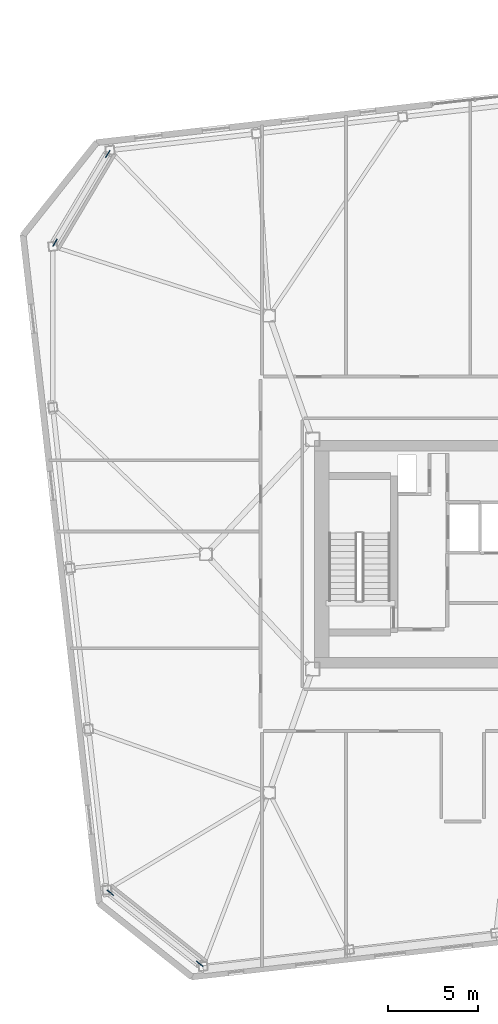
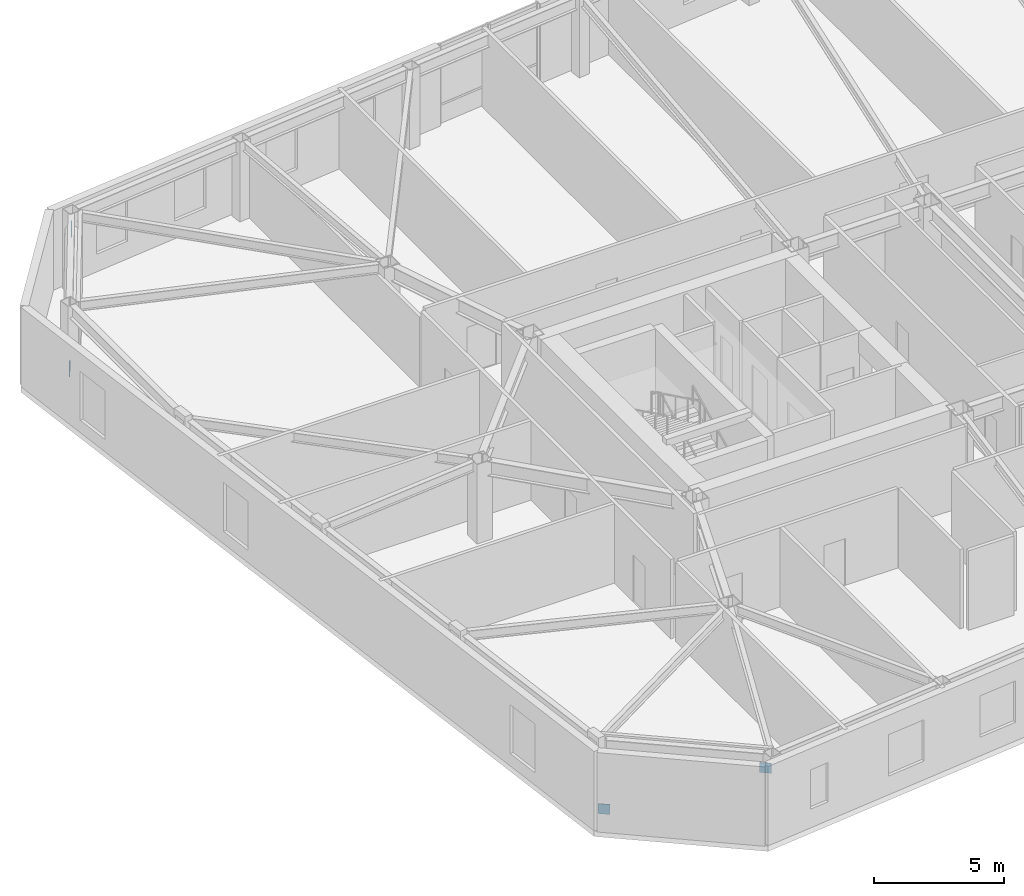
# One storey, part 17 of 19: 4 discrete accessories.
"""IFC4 building model written with IfcOpenShell, lengths in metres."""

import ifcopenshell
import ifcopenshell.guid

model = None  # the IFC model being written
_history = None  # IfcOwnerHistory: only IFC2X3 demands one
_inside = {}  # id of a spatial element -> (the spatial element, [elements in it])
_under = {}  # id of a project, library or spatial element -> (it, [spatial elements below it])
_declared = {}  # id of a project -> (the project, [libraries it declares])
_typed = {}  # id of a type object -> (the type object, [elements of that type])
_made_of = {}  # id of a material, layer set ... -> (it, [elements and type objects made of it])


def new_model(schema):
    """Start an empty IFC model of exactly this schema.

    Asked for "IFC4X3", IfcOpenShell would pick the latest addendum, in which some entities
    have other attributes; the version numbers below select the first issue.
    IFC2X3 requires an IfcOwnerHistory on every rooted entity: one is made here for all.
    """
    global model, _history
    if schema == "IFC4X3":
        model = ifcopenshell.file(schema_version=(4, 3, 0, 0))
    else:
        model = ifcopenshell.file(schema=schema)
    _inside.clear()
    _under.clear()
    _declared.clear()
    _typed.clear()
    _made_of.clear()
    _history = None
    if model.schema == "IFC2X3":
        org = make("IfcOrganization", Name="unknown")
        user = make(
            "IfcPersonAndOrganization",
            ThePerson=make("IfcPerson", FamilyName="unknown"),
            TheOrganization=org,
        )
        app = make(
            "IfcApplication",
            ApplicationDeveloper=org,
            Version="unknown",
            ApplicationFullName="unknown",
            ApplicationIdentifier="unknown",
        )
        _history = make(
            "IfcOwnerHistory",
            OwningUser=user,
            OwningApplication=app,
            ChangeAction="ADDED",
            CreationDate=0,
        )
    return model


def make(cls, **values):
    """One entity of the class cls with the attributes given. An attribute that is None is left unset."""
    return model.create_entity(
        cls, **{name: value for name, value in values.items() if value is not None}
    )


def rooted(cls, **values):
    """An entity with a GlobalId (a new one), such as an element, a storey or a relation."""
    return make(cls, GlobalId=ifcopenshell.guid.new(), OwnerHistory=_history, **values)


def si_unit(unit_type, name, prefix=None):
    """IfcSIUnit, for example si_unit("LENGTHUNIT", "METRE", prefix="MILLI")."""
    return make("IfcSIUnit", UnitType=unit_type, Prefix=prefix, Name=name)


def assignment(units):
    """IfcUnitAssignment: the units of a project."""
    return None if units is None else make("IfcUnitAssignment", Units=units)


def point(xyz):
    """IfcCartesianPoint."""
    return None if xyz is None else make("IfcCartesianPoint", Coordinates=xyz)


def direction(xyz):
    """IfcDirection."""
    return None if xyz is None else make("IfcDirection", DirectionRatios=xyz)


def frame(location, z_axis=None, x_axis=None):
    """IfcAxis2Placement3D, a coordinate frame: its origin and axes. An axis left out is left unset."""
    return make(
        "IfcAxis2Placement3D",
        Location=point(location),
        Axis=direction(z_axis),
        RefDirection=direction(x_axis),
    )


def frame_2d(location, x_axis=None):
    """IfcAxis2Placement2D, a coordinate frame in the plane: its origin and x axis."""
    return make(
        "IfcAxis2Placement2D", Location=point(location), RefDirection=direction(x_axis)
    )


def origin():
    """The frame at (0, 0, 0) with its axes left unset."""
    return frame((0.0, 0.0, 0.0))


def origin_2d():
    """The frame at (0, 0) in the plane with its x axis left unset."""
    return frame_2d((0.0, 0.0))


def place(relative_to, where):
    """IfcLocalPlacement: puts the frame where relative to a parent placement (None: the world)."""
    return make(
        "IfcLocalPlacement", PlacementRelTo=relative_to, RelativePlacement=where
    )


def context(
    kind, dimensions, precision=None, world=None, true_north=None, identifier=None
):
    """IfcGeometricRepresentationContext, for example the 3D "Model" context."""
    return make(
        "IfcGeometricRepresentationContext",
        ContextIdentifier=identifier,
        ContextType=kind,
        CoordinateSpaceDimension=dimensions,
        Precision=precision,
        WorldCoordinateSystem=world,
        TrueNorth=true_north,
    )


def subcontext(parent, identifier, kind, view, scale=None):
    """IfcGeometricRepresentationSubContext, for example "Body" below "Model"."""
    return make(
        "IfcGeometricRepresentationSubContext",
        ContextIdentifier=identifier,
        ContextType=kind,
        ParentContext=parent,
        TargetScale=scale,
        TargetView=view,
    )


def project(units=None, contexts=None):
    """IfcProject with its units and contexts."""
    return rooted(
        "IfcProject",
        Name="project",
        RepresentationContexts=contexts,
        UnitsInContext=assignment(units),
    )


def spatial(cls, under=None, at=None, **own):
    """A site, building, storey or space (cls), placed at a placement, below another one or the project."""
    s = rooted(cls, ObjectPlacement=at, **own)
    if under is not None:
        _under.setdefault(under.id(), (under, []))[1].append(s)
    return s


def profile(cls, at=None, kind="AREA", **sizes):
    """A parametric profile (cls). Its sizes go by their IFC names, for example OverallWidth=200.0."""
    return make(cls, ProfileType=kind, Position=at, **sizes)


def rectangle(**sizes):
    """IfcRectangleProfileDef."""
    return profile("IfcRectangleProfileDef", **sizes)


def extrude(swept, where, along, depth):
    """IfcExtrudedAreaSolid: the profile swept, set in the frame where, extruded along a direction by depth."""
    return make(
        "IfcExtrudedAreaSolid",
        SweptArea=swept,
        Position=where,
        ExtrudedDirection=direction(along),
        Depth=depth,
    )


def shape(context_of_items, identifier, shape_type, items):
    """IfcShapeRepresentation: the items that make up one representation, for example the "Body"."""
    return make(
        "IfcShapeRepresentation",
        ContextOfItems=context_of_items,
        RepresentationIdentifier=identifier,
        RepresentationType=shape_type,
        Items=items,
    )


def material(Name=None, Category=None):
    """IfcMaterial."""
    return make("IfcMaterial", Name=Name, Category=Category)


def made_of(thing, what):
    """Note that an element or type object is made of a material, layer set ...; save() writes the relation."""
    if what is not None:
        _made_of.setdefault(what.id(), (what, []))[1].append(thing)
    return thing


def type_object(cls, material=None, **own):
    """A type object (cls), such as IfcWallType, which elements share."""
    return made_of(rooted(cls, **own), material)


def element(
    cls,
    number,
    at=None,
    inside=None,
    cuts=None,
    type_object=None,
    material=None,
    context=None,
    identifier="Body",
    shape_type=None,
    held_by="IfcProductDefinitionShape",
    body=None,
    shapes=None,
    **own,
):
    """One element of the class cls, such as IfcWall. Its Tag is "e" and its number.

    at: its placement. inside: the storey or other place that contains it. cuts: it is an
    opening in that element (IfcRelVoidsElement). A single representation is given by context,
    identifier, shape_type and body (its items); several are given by shapes. held_by: the class
    of the entity that holds the representations. save() writes the other relations.
    """
    e = rooted(cls, Tag="e%d" % number, ObjectPlacement=at, **own)
    if body is not None:
        shapes = [shape(context, identifier, shape_type, body)]
    if shapes is not None:
        e.Representation = make(held_by, Representations=shapes)
    if inside is not None:
        _inside.setdefault(inside.id(), (inside, []))[1].append(e)
    if cuts is not None:
        rooted(
            "IfcRelVoidsElement", RelatingBuildingElement=cuts, RelatedOpeningElement=e
        )
    if type_object is not None:
        _typed.setdefault(type_object.id(), (type_object, []))[1].append(e)
    return made_of(e, material)


def aggregate(whole, parts):
    """IfcRelAggregates: a whole, such as a stair, and the parts it consists of."""
    return rooted("IfcRelAggregates", RelatingObject=whole, RelatedObjects=parts)


def save(model, path):
    """Write the relations noted so far, then the file.

    IfcRelAggregates (storeys below a building ...), IfcRelContainedInSpatialStructure (elements
    in a storey), IfcRelDefinesByType, IfcRelAssociatesMaterial and IfcRelDeclares: one each for
    every whole, place, type object, material and project.
    """
    for whole, parts in _under.values():
        aggregate(whole, parts)
    for where, things in _inside.values():
        rooted(
            "IfcRelContainedInSpatialStructure",
            RelatedElements=things,
            RelatingStructure=where,
        )
    for kind, things in _typed.values():
        rooted("IfcRelDefinesByType", RelatedObjects=things, RelatingType=kind)
    for what, things in _made_of.values():
        rooted("IfcRelAssociatesMaterial", RelatedObjects=things, RelatingMaterial=what)
    for by, libraries in _declared.values():
        rooted("IfcRelDeclares", RelatingContext=by, RelatedDefinitions=libraries)
    model.write(path)


model = new_model("IFC4")

# Units and contexts
model_context = context("Model", 3, precision=1e-05, world=origin(), true_north=direction((0.0, 1.0)))
body_context = subcontext(model_context, "Body", "Model", "MODEL_VIEW")
ifc_project = project(units=[si_unit("LENGTHUNIT", "METRE"), si_unit("AREAUNIT", "SQUARE_METRE"), si_unit("VOLUMEUNIT", "CUBIC_METRE"), si_unit("PLANEANGLEUNIT", "RADIAN"), si_unit("MASSUNIT", "GRAM", prefix="KILO")], contexts=[model_context])

# Site, building, storey
site_placement = place(None, origin())
site = spatial("IfcSite", under=ifc_project, at=site_placement, CompositionType="ELEMENT")
building_placement = place(site_placement, origin())
building = spatial("IfcBuilding", under=site, at=building_placement, Name="Tavrogorsk Clinical Tower", CompositionType="ELEMENT")
storey_placement = place(building_placement, frame((0.0, 0.0, 263.0)))
storey = spatial("IfcBuildingStorey", under=building, at=storey_placement, Name="L61", CompositionType="ELEMENT", Elevation=263.0)

# Discrete accessories
ifc_material = material(Name="Structural steel S440", Category="steel")
discrete_accessory_type = type_object("IfcDiscreteAccessoryType", Name="GussetPlateBracket_25", PredefinedType="BRACKET", material=ifc_material)
for number, where, z_axis, x_axis, name in (
    (1, (-36.349853515625, 17.23486328125, 0.17626953125), (0.0, 0.0, 1.0), (0.511443073004, 0.859317160934, 0.0), "L61 Brace Gusset Plate EXOCRN-L61-3-A"),
    (2, (-33.428955078125, 22.143310546875, 2.75390625), (0.0, 0.0, 1.0), (0.511443073004, 0.859317160934, 0.0), "L61 Brace Gusset Plate EXOCRN-L61-3-B"),
    (3, (-33.29052734375, -18.725341796875, 0.168212890625), (0.0, 0.0, 1.0), (0.782608156852, -0.622514636638, 0.0), "L61 Brace Gusset Plate EXOCRN-L61-4-A"),
    (4, (-28.3515625, -22.654052734375, 2.761962890625), (0.0, 0.0, 1.0), (0.782608156852, -0.622514636638, 0.0), "L61 Brace Gusset Plate EXOCRN-L61-4-B"),
):
    element("IfcDiscreteAccessory", number, at=place(storey_placement, frame(where, z_axis=z_axis, x_axis=x_axis)), inside=storey, type_object=discrete_accessory_type, Name=name, PredefinedType="BRACKET", context=body_context, shape_type="SweptSolid", body=[
        extrude(rectangle(XDim=0.4599609375, YDim=0.0400390625, at=origin_2d()), origin(), (0.0, 0.0, 1.0), 0.4599609375),
    ])

save(model, "model.ifc")
